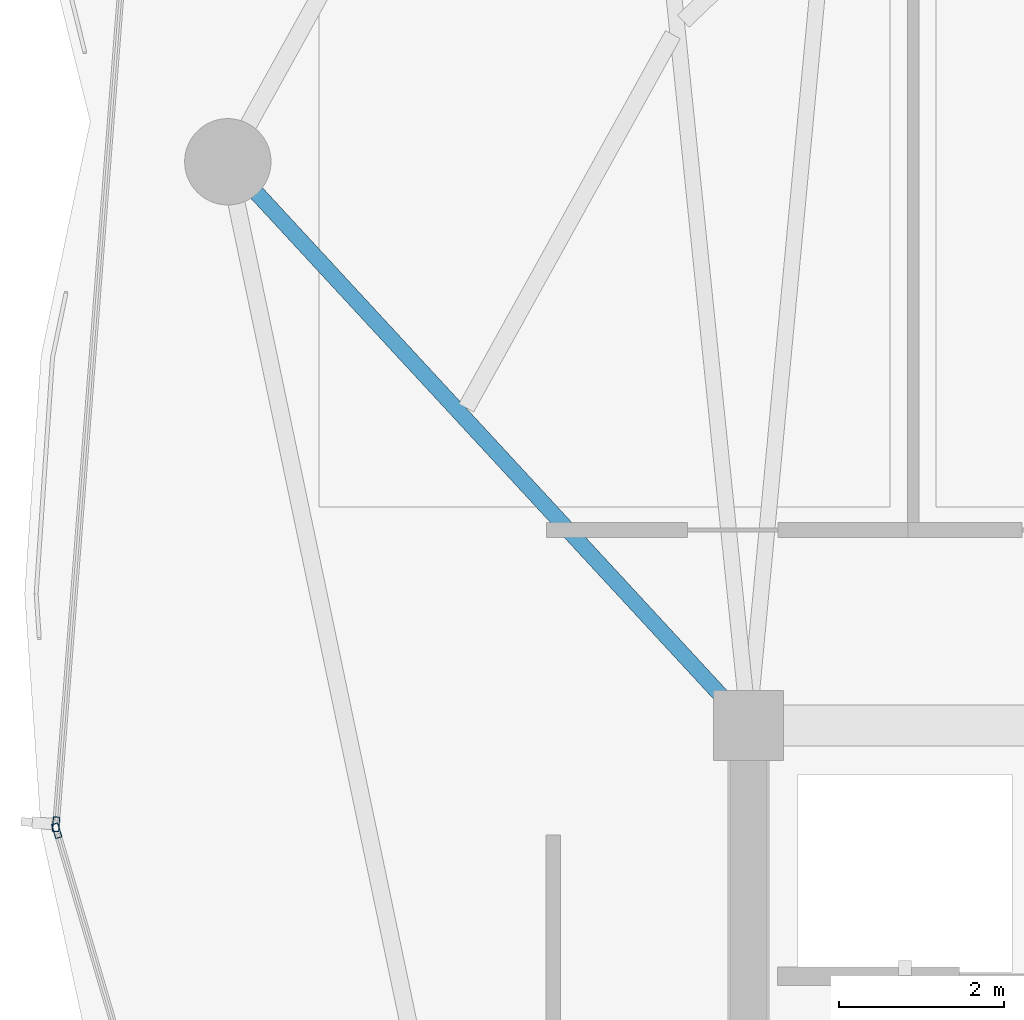
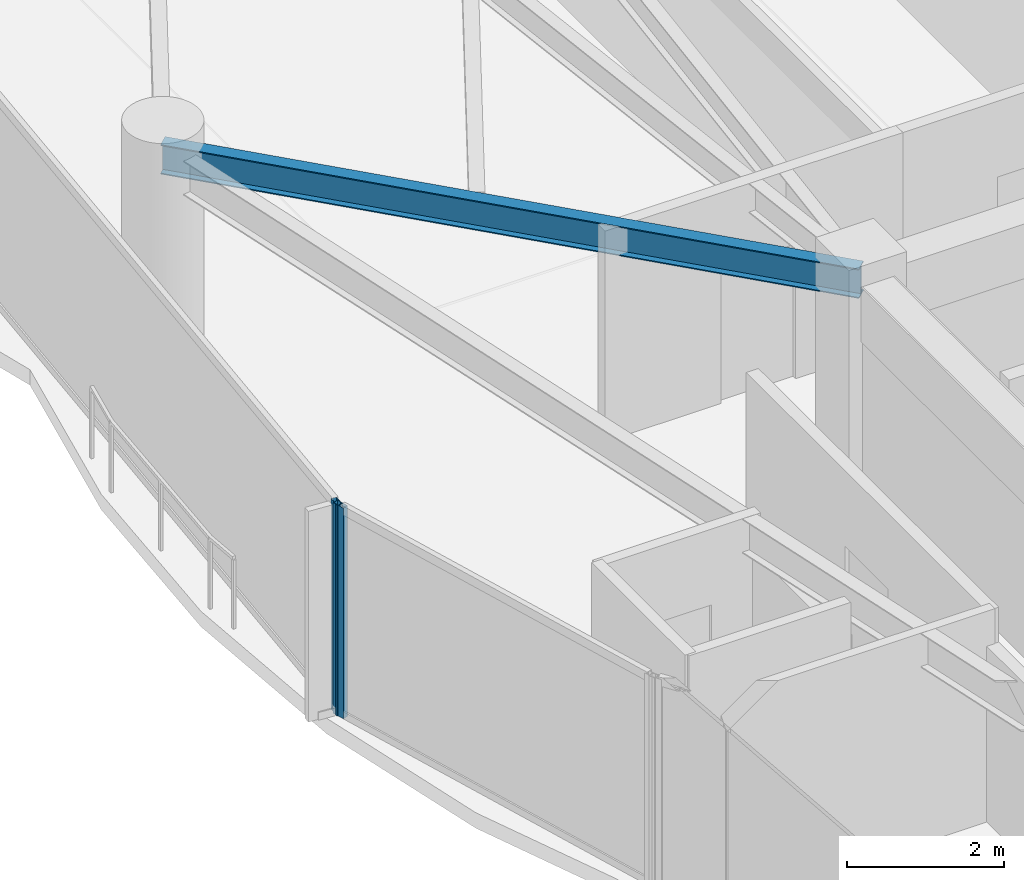
# One storey, part 8 of 31: 2 members, 1 beam, 2 elements without a shape of their own.
"""IFC4 building model written with IfcOpenShell, lengths in metres."""

from ifc_helpers import new_model, si_unit, direction, frame, origin, origin_2d, place, context, subcontext, project, spatial, hollow_rectangle, i_section, extrude, material, layer, layer_set, material_profile, profile_set, type_object, element, aggregate, save


model = new_model("IFC4")

# Units and contexts
model_context = context("Model", 3, precision=1e-05, world=origin(), true_north=direction((0.0, 1.0)))
body_context = subcontext(model_context, "Body", "Model", "MODEL_VIEW")
ifc_project = project(units=[si_unit("LENGTHUNIT", "METRE"), si_unit("AREAUNIT", "SQUARE_METRE"), si_unit("VOLUMEUNIT", "CUBIC_METRE"), si_unit("PLANEANGLEUNIT", "RADIAN"), si_unit("MASSUNIT", "GRAM", prefix="KILO")], contexts=[model_context])

# Site, building, storey
site_placement = place(None, origin())
site = spatial("IfcSite", under=ifc_project, at=site_placement, CompositionType="ELEMENT")
building_placement = place(site_placement, origin())
building = spatial("IfcBuilding", under=site, at=building_placement, Name="Kazevale Care Tower and Concert Hall", CompositionType="ELEMENT")
storey_placement = place(building_placement, frame((0.0, 0.0, 187.199951171875)))
storey = spatial("IfcBuildingStorey", under=building, at=storey_placement, Name="L49", CompositionType="ELEMENT", Elevation=187.199951171875)

# Curtain wall, member
ifc_material_1 = material(Name="Aluminium 6063-T6 and Low-E Glass", Category="aluminium")
ifc_layer = layer(ifc_material_1, 0.179931640625)
ifc_layer_set = layer_set([ifc_layer], Name="Aluminium 6063-T6 and Low-E Glass")
curtain_wall_type = type_object("IfcCurtainWallType", Name="Waist & Upper Residential Curtain Wall CW-4", PredefinedType="NOTDEFINED", material=ifc_layer_set)
curtain_wall_1_placement = place(storey_placement, origin())
curtain_wall_1 = element("IfcCurtainWall", 1, at=curtain_wall_1_placement, inside=storey, type_object=curtain_wall_type, Name="cw:L49:f12", PredefinedType="NOTDEFINED")
ifc_material_2 = material(Name="Aluminium 6063-T6", Category="aluminium")
ifc_material_profile_1 = material_profile(ifc_material_2, hollow_rectangle(XDim=0.080078125, YDim=0.179931640625, WallThickness=0.0048828125, at=origin_2d()), Name="ALU80x180x5")
ifc_profile_set_1 = profile_set([ifc_material_profile_1], Name="Aluminium 6063-T6")
member_type = type_object("IfcMemberType", Name="CW-4 Mullion ALU80x180x5", PredefinedType="MULLION", material=ifc_profile_set_1)
member_1_placement = place(storey_placement, frame((13.59033203125, 35.11865234375, 0.0), z_axis=(0.0, 0.0, 1.0), x_axis=(-0.959385539982, -0.282098184457, 0.0)))
member_1 = element("IfcMember", 2, at=member_1_placement, type_object=member_type, Name="CW-4 mullion 2", PredefinedType="MULLION", context=body_context, shape_type="SweptSolid", body=[
    extrude(hollow_rectangle(XDim=0.080078125, YDim=0.179931640625, WallThickness=0.0048828125, at=origin_2d()), origin(), (0.0, 0.0, 1.0), 3.280029296875),
])
aggregate(curtain_wall_1, [member_1])

curtain_wall_2_placement = place(storey_placement, origin())
curtain_wall_2 = element("IfcCurtainWall", 3, at=curtain_wall_2_placement, inside=storey, type_object=curtain_wall_type, Name="cw:L49:f13", PredefinedType="NOTDEFINED")
member_2_placement = place(storey_placement, frame((13.58203125, 35.19677734375, 0.0), z_axis=(0.0, 0.0, 1.0), x_axis=(-0.996989311372, 0.077539106325, 0.0)))
member_2 = element("IfcMember", 4, at=member_2_placement, type_object=member_type, Name="CW-4 mullion 1", PredefinedType="MULLION", context=body_context, shape_type="SweptSolid", body=[
    extrude(hollow_rectangle(XDim=0.080078125, YDim=0.179931640625, WallThickness=0.0048828125, at=origin_2d()), origin(), (0.0, 0.0, 1.0), 3.280029296875),
])
aggregate(curtain_wall_2, [member_2])

# Beam
ifc_material_3 = material(Name="Steel ASTM A572 Gr 50", Category="steel")
ifc_material_profile_2 = material_profile(ifc_material_3, i_section(OverallWidth=0.19091796875, OverallDepth=0.4599609375, WebThickness=0.010009765625, FlangeThickness=0.01611328125, at=origin_2d()), Name="W460x82")
ifc_profile_set_2 = profile_set([ifc_material_profile_2], Name="Steel ASTM A572 Gr 50")
beam_type = type_object("IfcBeamType", Name="Radial Floor Beam W460x82", PredefinedType="BEAM", material=ifc_profile_set_2)
beam_placement = place(storey_placement, frame((22.0, 36.39990234375, 3.050048828125), z_axis=(-0.678680078581, 0.734434034435, 0.0), x_axis=(-0.734434034435, -0.678680078581, 0.0)))
element("IfcBeam", 5, at=beam_placement, inside=storey, type_object=beam_type, Name="beam:L49:rad:09", PredefinedType="BEAM", context=body_context, shape_type="SweptSolid", body=[
    extrude(i_section(OverallWidth=0.19091796875, OverallDepth=0.4599609375, WebThickness=0.010009765625, FlangeThickness=0.01611328125, at=origin_2d()), origin(), (0.0, 0.0, 1.0), 9.3271484375),
])

save(model, "model.ifc")
